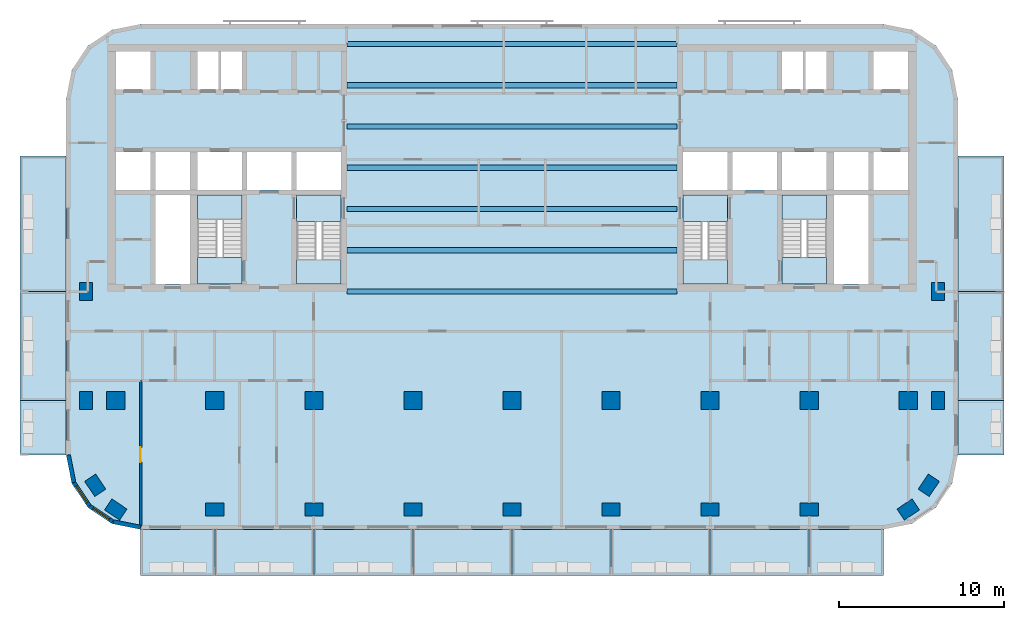
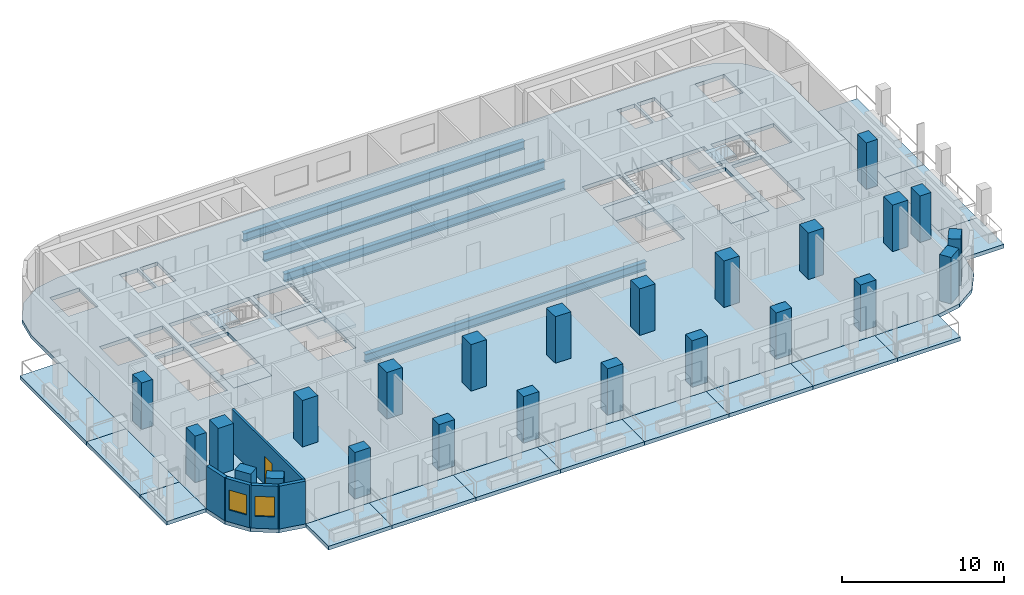
# One storey, part 1 of 11: 24 columns, 23 slabs, 7 beams, 5 walls, 2 windows, 1 door, 3 openings, 4 elements without a shape of their own.
"""IFC4 building model written with IfcOpenShell, lengths in metres."""

from ifc_helpers import new_model, si_unit, direction, frame, frame_2d, origin, origin_2d, place, context, subcontext, project, spatial, polyline, rectangle, i_section, outline, extrude, material, layer, layer_set, material_profile, profile_set, type_object, element, fill, aggregate, save


model = new_model("IFC4")

# Units and contexts
model_context = context("Model", 3, precision=1e-05, world=origin(), true_north=direction((0.0, 1.0)))
body_context = subcontext(model_context, "Body", "Model", "MODEL_VIEW")
ifc_project = project(units=[si_unit("LENGTHUNIT", "METRE"), si_unit("AREAUNIT", "SQUARE_METRE"), si_unit("VOLUMEUNIT", "CUBIC_METRE"), si_unit("PLANEANGLEUNIT", "RADIAN"), si_unit("MASSUNIT", "GRAM", prefix="KILO")], contexts=[model_context])

# Site, building, storey
site_placement = place(None, origin())
site = spatial("IfcSite", under=ifc_project, at=site_placement, CompositionType="ELEMENT")
building_placement = place(site_placement, origin())
building = spatial("IfcBuilding", under=site, at=building_placement, Name="Torana Hotel and Residences", CompositionType="ELEMENT")
storey_placement = place(building_placement, frame((0.0, 0.0, 204.60009765625)))
storey = spatial("IfcBuildingStorey", under=building, at=storey_placement, Name="L53", CompositionType="ELEMENT", Elevation=204.60009765625)

# Columns
ifc_material_1 = material(Name="Concrete C60/75", Category="concrete")
ifc_material_profile_1 = material_profile(ifc_material_1, rectangle(XDim=1.10009765625, YDim=1.10009765625, at=origin_2d()), Name="RC 1100x1100")
ifc_profile_set_1 = profile_set([ifc_material_profile_1], Name="Concrete C60/75")
column_type_1 = type_object("IfcColumnType", Name="COLUMN RC 1100x1100 C60/75", PredefinedType="COLUMN", material=ifc_profile_set_1)
for number, where, z_axis, x_axis, name in (
    (1, (-24.0, -21.60009765625, 0.0), (0.0, 0.0, 1.0), (1.0, 0.0, 0.0), "Column L53"),
    (2, (-18.0, -21.60009765625, 0.0), (0.0, 0.0, 1.0), (1.0, 0.0, 0.0), "Column L53"),
    (3, (-12.0, -21.60009765625, 0.0), (0.0, 0.0, 1.0), (1.0, 0.0, 0.0), "Column L53"),
    (4, (-6.0, -21.60009765625, 0.0), (0.0, 0.0, 1.0), (1.0, 0.0, 0.0), "Column L53"),
    (5, (0.0, -21.60009765625, 0.0), (0.0, 0.0, 1.0), (1.0, 0.0, 0.0), "Column L53"),
    (6, (6.0, -21.60009765625, 0.0), (0.0, 0.0, 1.0), (1.0, 0.0, 0.0), "Column L53"),
    (7, (12.0, -21.60009765625, 0.0), (0.0, 0.0, 1.0), (1.0, 0.0, 0.0), "Column L53"),
    (8, (18.0, -21.60009765625, 0.0), (0.0, 0.0, 1.0), (1.0, 0.0, 0.0), "Column L53"),
    (9, (24.0, -21.60009765625, 0.0), (0.0, 0.0, 1.0), (1.0, 0.0, 0.0), "Column L53"),
):
    element("IfcColumn", number, at=place(storey_placement, frame(where, z_axis=z_axis, x_axis=x_axis)), inside=storey, type_object=column_type_1, Name=name, PredefinedType="COLUMN", context=body_context, shape_type="SweptSolid", body=[
        extrude(rectangle(XDim=1.10009765625, YDim=1.10009765625, at=origin_2d()), origin(), (0.0, 0.0, 1.0), 3.5),
    ])
ifc_material_2 = material(Name="Concrete C60/75", Category="concrete")
ifc_material_profile_2 = material_profile(ifc_material_2, rectangle(XDim=1.10009765625, YDim=0.800048828125, at=origin_2d()), Name="RC 1100x800")
ifc_profile_set_2 = profile_set([ifc_material_profile_2], Name="Concrete C60/75")
column_type_2 = type_object("IfcColumnType", Name="COLUMN RC 1100x800 C60/75", PredefinedType="COLUMN", material=ifc_profile_set_2)
for number, where, z_axis, x_axis, name in (
    (10, (-25.800048828125, -21.60009765625, 0.0), (0.0, 0.0, 1.0), (0.0, 1.0, 0.0), "Column L53"),
    (11, (-25.800048828125, -15.0, 0.0), (0.0, 0.0, 1.0), (0.0, 1.0, 0.0), "Column L53"),
    (12, (-25.243896484375, -26.73291015625, 0.0), (0.0, 0.0, 1.0), (-0.555584744817, 0.831459915646, 0.0), "Column L53"),
    (13, (-24.0, -28.199951171875, 0.0), (0.0, 0.0, 1.0), (-0.831459915646, 0.555584744817, 0.0), "Column L53"),
    (14, (-18.0, -28.199951171875, 0.0), (0.0, 0.0, 1.0), (1.0, 0.0, 0.0), "Column L53"),
    (15, (-12.0, -28.199951171875, 0.0), (0.0, 0.0, 1.0), (1.0, 0.0, 0.0), "Column L53"),
    (16, (-6.0, -28.199951171875, 0.0), (0.0, 0.0, 1.0), (1.0, 0.0, 0.0), "Column L53"),
    (17, (0.0, -28.199951171875, 0.0), (0.0, 0.0, 1.0), (1.0, 0.0, 0.0), "Column L53"),
    (18, (6.0, -28.199951171875, 0.0), (0.0, 0.0, 1.0), (1.0, 0.0, 0.0), "Column L53"),
    (19, (12.0, -28.199951171875, 0.0), (0.0, 0.0, 1.0), (1.0, 0.0, 0.0), "Column L53"),
    (20, (18.0, -28.199951171875, 0.0), (0.0, 0.0, 1.0), (1.0, 0.0, 0.0), "Column L53"),
    (21, (24.0, -28.199951171875, 0.0), (0.0, 0.0, 1.0), (0.831459915646, 0.555584744817, 0.0), "Column L53"),
    (22, (25.243896484375, -26.73291015625, 0.0), (0.0, 0.0, 1.0), (0.555584744817, 0.831459915646, 0.0), "Column L53"),
    (23, (25.800048828125, -21.60009765625, 0.0), (0.0, 0.0, 1.0), (0.0, 1.0, 0.0), "Column L53"),
    (24, (25.800048828125, -15.0, 0.0), (0.0, 0.0, 1.0), (0.0, 1.0, 0.0), "Column L53"),
):
    element("IfcColumn", number, at=place(storey_placement, frame(where, z_axis=z_axis, x_axis=x_axis)), inside=storey, type_object=column_type_2, Name=name, PredefinedType="COLUMN", context=body_context, shape_type="SweptSolid", body=[
        extrude(rectangle(XDim=1.10009765625, YDim=0.800048828125, at=origin_2d()), origin(), (0.0, 0.0, 1.0), 3.5),
    ])

# Beams
ifc_material_3 = material(Name="Steel S355", Category="steel")
ifc_material_profile_3 = material_profile(ifc_material_3, i_section(OverallWidth=0.311279296875, OverallDepth=0.6357421875, WebThickness=0.018310546875, FlangeThickness=0.031494140625, FilletRadius=0.0166015625, at=origin_2d()), Name="610x305x238 UB")
ifc_profile_set_3 = profile_set([ifc_material_profile_3], Name="Steel S355")
beam_type = type_object("IfcBeamType", Name="STEEL GIRDER 610x305x238 UB", PredefinedType="BEAM", material=ifc_profile_set_3)
for number, where, z_axis, x_axis, name in (
    (25, (-10.0, -15.0, -0.597900390625), (1.0, 0.0, 0.0), (0.0, 1.0, 0.0), "Floor girder"),
    (26, (-10.0, -12.5, -0.597900390625), (1.0, 0.0, 0.0), (0.0, 1.0, 0.0), "Floor girder"),
    (27, (-10.0, -10.0, -0.597900390625), (1.0, 0.0, 0.0), (0.0, 1.0, 0.0), "Floor girder"),
    (28, (-10.0, -7.5, -0.597900390625), (1.0, 0.0, 0.0), (0.0, 1.0, 0.0), "Floor girder"),
    (29, (-10.0, -5.0, -0.597900390625), (1.0, 0.0, 0.0), (0.0, 1.0, 0.0), "Floor girder"),
    (30, (-10.0, -2.5, -0.597900390625), (1.0, 0.0, 0.0), (0.0, 1.0, 0.0), "Floor girder"),
    (31, (-10.0, 0.0, -0.597900390625), (1.0, 0.0, 0.0), (0.0, 1.0, 0.0), "Floor girder"),
):
    element("IfcBeam", number, at=place(storey_placement, frame(where, z_axis=z_axis, x_axis=x_axis)), inside=storey, type_object=beam_type, Name=name, PredefinedType="BEAM", context=body_context, shape_type="SweptSolid", body=[
        extrude(i_section(OverallWidth=0.311279296875, OverallDepth=0.6357421875, WebThickness=0.018310546875, FlangeThickness=0.031494140625, FilletRadius=0.0166015625, at=origin_2d()), origin(), (0.0, 0.0, 1.0), 20.0),
    ])

# Slabs
ifc_material_4 = material(Name="Concrete C40/50", Category="concrete")
ifc_layer_1 = layer(ifc_material_4, 0.280029296875)
ifc_layer_set_1 = layer_set([ifc_layer_1], Name="BAL1 BALCONY SLAB 280")
slab_type_1 = type_object("IfcSlabType", Name="BAL1 BALCONY SLAB 280", PredefinedType="USERDEFINED", material=ifc_layer_set_1)
slab_1_placement = place(storey_placement, frame((0.0, 0.0, -0.280029296875)))
element("IfcSlab", 32, at=slab_1_placement, inside=storey, type_object=slab_type_1, Name="Balcony 01", ObjectType="BALCONY", PredefinedType="USERDEFINED", context=body_context, shape_type="SweptSolid", body=[
    extrude(outline(polyline([(-22.5, -32.199951171875), (-18.0, -32.199951171875), (-18.0, -29.39990234375), (-22.5, -29.39990234375), (-22.5, -32.199951171875)])), origin(), (0.0, 0.0, 1.0), 0.280029296875),
])
slab_2_placement = place(storey_placement, frame((0.0, 0.0, -0.280029296875)))
element("IfcSlab", 33, at=slab_2_placement, inside=storey, type_object=slab_type_1, Name="Balcony 02", ObjectType="BALCONY", PredefinedType="USERDEFINED", context=body_context, shape_type="SweptSolid", body=[
    extrude(outline(polyline([(-18.0, -32.199951171875), (-12.0, -32.199951171875), (-12.0, -29.39990234375), (-18.0, -29.39990234375), (-18.0, -32.199951171875)])), origin(), (0.0, 0.0, 1.0), 0.280029296875),
])
slab_3_placement = place(storey_placement, frame((0.0, 0.0, -0.280029296875)))
element("IfcSlab", 34, at=slab_3_placement, inside=storey, type_object=slab_type_1, Name="Balcony 03", ObjectType="BALCONY", PredefinedType="USERDEFINED", context=body_context, shape_type="SweptSolid", body=[
    extrude(outline(polyline([(-12.0, -32.199951171875), (-6.0, -32.199951171875), (-6.0, -29.39990234375), (-12.0, -29.39990234375), (-12.0, -32.199951171875)])), origin(), (0.0, 0.0, 1.0), 0.280029296875),
])
slab_4_placement = place(storey_placement, frame((0.0, 0.0, -0.280029296875)))
element("IfcSlab", 35, at=slab_4_placement, inside=storey, type_object=slab_type_1, Name="Balcony 04", ObjectType="BALCONY", PredefinedType="USERDEFINED", context=body_context, shape_type="SweptSolid", body=[
    extrude(outline(polyline([(-6.0, -32.199951171875), (0.0, -32.199951171875), (0.0, -29.39990234375), (-6.0, -29.39990234375), (-6.0, -32.199951171875)])), origin(), (0.0, 0.0, 1.0), 0.280029296875),
])
slab_5_placement = place(storey_placement, frame((0.0, 0.0, -0.280029296875)))
element("IfcSlab", 36, at=slab_5_placement, inside=storey, type_object=slab_type_1, Name="Balcony 05", ObjectType="BALCONY", PredefinedType="USERDEFINED", context=body_context, shape_type="SweptSolid", body=[
    extrude(outline(polyline([(0.0, -32.199951171875), (6.0, -32.199951171875), (6.0, -29.39990234375), (0.0, -29.39990234375), (0.0, -32.199951171875)])), origin(), (0.0, 0.0, 1.0), 0.280029296875),
])
slab_6_placement = place(storey_placement, frame((0.0, 0.0, -0.280029296875)))
element("IfcSlab", 37, at=slab_6_placement, inside=storey, type_object=slab_type_1, Name="Balcony 06", ObjectType="BALCONY", PredefinedType="USERDEFINED", context=body_context, shape_type="SweptSolid", body=[
    extrude(outline(polyline([(6.0, -32.199951171875), (12.0, -32.199951171875), (12.0, -29.39990234375), (6.0, -29.39990234375), (6.0, -32.199951171875)])), origin(), (0.0, 0.0, 1.0), 0.280029296875),
])
slab_7_placement = place(storey_placement, frame((0.0, 0.0, -0.280029296875)))
element("IfcSlab", 38, at=slab_7_placement, inside=storey, type_object=slab_type_1, Name="Balcony 07", ObjectType="BALCONY", PredefinedType="USERDEFINED", context=body_context, shape_type="SweptSolid", body=[
    extrude(outline(polyline([(12.0, -32.199951171875), (18.0, -32.199951171875), (18.0, -29.39990234375), (12.0, -29.39990234375), (12.0, -32.199951171875)])), origin(), (0.0, 0.0, 1.0), 0.280029296875),
])
slab_8_placement = place(storey_placement, frame((0.0, 0.0, -0.280029296875)))
element("IfcSlab", 39, at=slab_8_placement, inside=storey, type_object=slab_type_1, Name="Balcony 08", ObjectType="BALCONY", PredefinedType="USERDEFINED", context=body_context, shape_type="SweptSolid", body=[
    extrude(outline(polyline([(18.0, -32.199951171875), (22.5, -32.199951171875), (22.5, -29.39990234375), (18.0, -29.39990234375), (18.0, -32.199951171875)])), origin(), (0.0, 0.0, 1.0), 0.280029296875),
])
slab_9_placement = place(storey_placement, frame((0.0, 0.0, -0.280029296875)))
element("IfcSlab", 40, at=slab_9_placement, inside=storey, type_object=slab_type_1, Name="Balcony 09", ObjectType="BALCONY", PredefinedType="USERDEFINED", context=body_context, shape_type="SweptSolid", body=[
    extrude(outline(polyline([(-29.800048828125, -24.89990234375), (-27.0, -24.89990234375), (-27.0, -21.60009765625), (-29.800048828125, -21.60009765625), (-29.800048828125, -24.89990234375)])), origin(), (0.0, 0.0, 1.0), 0.280029296875),
])
slab_10_placement = place(storey_placement, frame((0.0, 0.0, -0.280029296875)))
element("IfcSlab", 41, at=slab_10_placement, inside=storey, type_object=slab_type_1, Name="Balcony 10", ObjectType="BALCONY", PredefinedType="USERDEFINED", context=body_context, shape_type="SweptSolid", body=[
    extrude(outline(polyline([(-29.800048828125, -21.60009765625), (-27.0, -21.60009765625), (-27.0, -15.0), (-29.800048828125, -15.0), (-29.800048828125, -21.60009765625)])), origin(), (0.0, 0.0, 1.0), 0.280029296875),
])
slab_11_placement = place(storey_placement, frame((0.0, 0.0, -0.280029296875)))
element("IfcSlab", 42, at=slab_11_placement, inside=storey, type_object=slab_type_1, Name="Balcony 11", ObjectType="BALCONY", PredefinedType="USERDEFINED", context=body_context, shape_type="SweptSolid", body=[
    extrude(outline(polyline([(-29.800048828125, -15.0), (-27.0, -15.0), (-27.0, -6.800048828125), (-29.800048828125, -6.800048828125), (-29.800048828125, -15.0)])), origin(), (0.0, 0.0, 1.0), 0.280029296875),
])
slab_12_placement = place(storey_placement, frame((0.0, 0.0, -0.280029296875)))
element("IfcSlab", 43, at=slab_12_placement, inside=storey, type_object=slab_type_1, Name="Balcony 12", ObjectType="BALCONY", PredefinedType="USERDEFINED", context=body_context, shape_type="SweptSolid", body=[
    extrude(outline(polyline([(27.0, -24.89990234375), (29.800048828125, -24.89990234375), (29.800048828125, -21.60009765625), (27.0, -21.60009765625), (27.0, -24.89990234375)])), origin(), (0.0, 0.0, 1.0), 0.280029296875),
])
slab_13_placement = place(storey_placement, frame((0.0, 0.0, -0.280029296875)))
element("IfcSlab", 44, at=slab_13_placement, inside=storey, type_object=slab_type_1, Name="Balcony 13", ObjectType="BALCONY", PredefinedType="USERDEFINED", context=body_context, shape_type="SweptSolid", body=[
    extrude(outline(polyline([(27.0, -21.60009765625), (29.800048828125, -21.60009765625), (29.800048828125, -15.0), (27.0, -15.0), (27.0, -21.60009765625)])), origin(), (0.0, 0.0, 1.0), 0.280029296875),
])
slab_14_placement = place(storey_placement, frame((0.0, 0.0, -0.280029296875)))
element("IfcSlab", 45, at=slab_14_placement, inside=storey, type_object=slab_type_1, Name="Balcony 14", ObjectType="BALCONY", PredefinedType="USERDEFINED", context=body_context, shape_type="SweptSolid", body=[
    extrude(outline(polyline([(27.0, -15.0), (29.800048828125, -15.0), (29.800048828125, -6.800048828125), (27.0, -6.800048828125), (27.0, -15.0)])), origin(), (0.0, 0.0, 1.0), 0.280029296875),
])
ifc_material_5 = material(Name="Concrete C40/50", Category="concrete")
ifc_layer_2 = layer(ifc_material_5, 0.280029296875)
ifc_layer_set_2 = layer_set([ifc_layer_2], Name="FLOOR SLAB PT 280")
slab_type_2 = type_object("IfcSlabType", Name="FLOOR SLAB PT 280", PredefinedType="FLOOR", material=ifc_layer_set_2)
slab_15_placement = place(storey_placement, frame((0.0, 0.0, -0.280029296875)))
element("IfcSlab", 46, at=slab_15_placement, inside=storey, type_object=slab_type_2, Name="Floor slab", PredefinedType="FLOOR", context=body_context, shape_type="SweptSolid", body=[
    extrude(outline(polyline([(27.0, -3.300048828125), (26.657470703125, -1.577880859375), (25.681884765625, -0.117919921875), (24.22216796875, 0.857421875), (22.5, 1.199951171875), (-22.5, 1.199951171875), (-24.22216796875, 0.857421875), (-25.681884765625, -0.117919921875), (-26.657470703125, -1.577880859375), (-27.0, -3.300048828125), (-27.0, -24.89990234375), (-26.657470703125, -26.6220703125), (-25.681884765625, -28.08203125), (-24.22216796875, -29.0576171875), (-22.5, -29.39990234375), (22.5, -29.39990234375), (24.22216796875, -29.0576171875), (25.681884765625, -28.08203125), (26.657470703125, -26.6220703125), (27.0, -24.89990234375), (27.0, -3.300048828125)]), holes=[polyline([(-13.050048828125, -14.550048828125), (-10.35009765625, -14.550048828125), (-10.35009765625, -9.14990234375), (-13.050048828125, -9.14990234375), (-13.050048828125, -14.550048828125)]), polyline([(-19.050048828125, -14.550048828125), (-16.35009765625, -14.550048828125), (-16.35009765625, -9.14990234375), (-19.050048828125, -9.14990234375), (-19.050048828125, -14.550048828125)]), polyline([(-17.625, -2.75), (-16.35009765625, -2.75), (-16.35009765625, -0.449951171875), (-17.625, -0.449951171875), (-17.625, -2.75)]), polyline([(-19.050048828125, -2.75), (-17.77490234375, -2.75), (-17.77490234375, -0.449951171875), (-19.050048828125, -0.449951171875), (-19.050048828125, -2.75)]), polyline([(-21.60009765625, -8.85009765625), (-19.5, -8.85009765625), (-19.5, -6.550048828125), (-21.60009765625, -6.550048828125), (-21.60009765625, -8.85009765625)]), polyline([(-24.0, -2.75), (-21.89990234375, -2.75), (-21.89990234375, -0.449951171875), (-24.0, -0.449951171875), (-24.0, -2.75)]), polyline([(-24.0, -8.85009765625), (-21.89990234375, -8.85009765625), (-21.89990234375, -6.550048828125), (-24.0, -6.550048828125), (-24.0, -8.85009765625)]), polyline([(-13.050048828125, -8.85009765625), (-10.35009765625, -8.85009765625), (-10.35009765625, -6.550048828125), (-13.050048828125, -6.550048828125), (-13.050048828125, -8.85009765625)]), polyline([(-16.050048828125, -8.85009765625), (-13.35009765625, -8.85009765625), (-13.35009765625, -6.550048828125), (-16.050048828125, -6.550048828125), (-16.050048828125, -8.85009765625)]), polyline([(-19.050048828125, -8.85009765625), (-16.35009765625, -8.85009765625), (-16.35009765625, -6.550048828125), (-19.050048828125, -6.550048828125), (-19.050048828125, -8.85009765625)]), polyline([(-21.60009765625, -14.550048828125), (-19.5, -14.550048828125), (-19.5, -9.14990234375), (-21.60009765625, -9.14990234375), (-21.60009765625, -14.550048828125)]), polyline([(10.35009765625, -14.550048828125), (13.050048828125, -14.550048828125), (13.050048828125, -9.14990234375), (10.35009765625, -9.14990234375), (10.35009765625, -14.550048828125)]), polyline([(16.35009765625, -14.550048828125), (19.050048828125, -14.550048828125), (19.050048828125, -9.14990234375), (16.35009765625, -9.14990234375), (16.35009765625, -14.550048828125)]), polyline([(16.35009765625, -2.75), (17.625, -2.75), (17.625, -0.449951171875), (16.35009765625, -0.449951171875), (16.35009765625, -2.75)]), polyline([(17.77490234375, -2.75), (19.050048828125, -2.75), (19.050048828125, -0.449951171875), (17.77490234375, -0.449951171875), (17.77490234375, -2.75)]), polyline([(19.5, -8.85009765625), (21.60009765625, -8.85009765625), (21.60009765625, -6.550048828125), (19.5, -6.550048828125), (19.5, -8.85009765625)]), polyline([(21.89990234375, -2.75), (24.0, -2.75), (24.0, -0.449951171875), (21.89990234375, -0.449951171875), (21.89990234375, -2.75)]), polyline([(21.89990234375, -8.85009765625), (24.0, -8.85009765625), (24.0, -6.550048828125), (21.89990234375, -6.550048828125), (21.89990234375, -8.85009765625)]), polyline([(10.35009765625, -8.85009765625), (13.050048828125, -8.85009765625), (13.050048828125, -6.550048828125), (10.35009765625, -6.550048828125), (10.35009765625, -8.85009765625)]), polyline([(13.35009765625, -8.85009765625), (16.050048828125, -8.85009765625), (16.050048828125, -6.550048828125), (13.35009765625, -6.550048828125), (13.35009765625, -8.85009765625)]), polyline([(16.35009765625, -8.85009765625), (19.050048828125, -8.85009765625), (19.050048828125, -6.550048828125), (16.35009765625, -6.550048828125), (16.35009765625, -8.85009765625)]), polyline([(19.5, -14.550048828125), (21.60009765625, -14.550048828125), (21.60009765625, -9.14990234375), (19.5, -9.14990234375), (19.5, -14.550048828125)])]), origin(), (0.0, 0.0, 1.0), 0.280029296875),
])

# Stair, slabs
ifc_material_6 = material(Name="Concrete C40/50 precast", Category="concrete")
stair_type_1 = type_object("IfcStairType", Name="STAIR ST1 HALF TURN 1200", PredefinedType="HALF_TURN_STAIR", material=ifc_material_6)
stair_1_placement = place(storey_placement, origin())
stair_1 = element("IfcStair", 47, at=stair_1_placement, inside=storey, type_object=stair_type_1, Name="Stair ST1 L53", PredefinedType="HALF_TURN_STAIR")
ifc_material_7 = material(Name="Concrete C40/50 precast", Category="concrete")
ifc_layer_3 = layer(ifc_material_7, 0.199951171875)
ifc_layer_set_3 = layer_set([ifc_layer_3], Name="STAIR LANDING 200")
slab_type_3 = type_object("IfcSlabType", Name="STAIR LANDING 200", PredefinedType="LANDING", material=ifc_layer_set_3)
slab_16_placement = place(storey_placement, frame((0.0, 0.0, 1.5498046875)))
slab_16 = element("IfcSlab", 48, at=slab_16_placement, type_object=slab_type_3, Name="ST1 landing 1", PredefinedType="LANDING", context=body_context, shape_type="SweptSolid", body=[
    extrude(outline(polyline([(-13.050048828125, -14.550048828125), (-10.35009765625, -14.550048828125), (-10.35009765625, -13.090087890625), (-13.050048828125, -13.090087890625), (-13.050048828125, -14.550048828125)])), origin(), (0.0, 0.0, 1.0), 0.2001953125),
])
slab_17_placement = place(storey_placement, frame((0.0, 0.0, -0.2001953125)))
slab_17 = element("IfcSlab", 49, at=slab_17_placement, type_object=slab_type_3, Name="ST1 landing 2", PredefinedType="LANDING", context=body_context, shape_type="SweptSolid", body=[
    extrude(outline(polyline([(-13.050048828125, -10.75), (-10.35009765625, -10.75), (-10.35009765625, -9.14990234375), (-13.050048828125, -9.14990234375), (-13.050048828125, -10.75)])), origin(), (0.0, 0.0, 1.0), 0.2001953125),
])
aggregate(stair_1, [slab_16, slab_17])

ifc_material_8 = material(Name="Concrete C40/50 precast", Category="concrete")
stair_type_2 = type_object("IfcStairType", Name="STAIR ST2 HALF TURN 1200", PredefinedType="HALF_TURN_STAIR", material=ifc_material_8)
stair_2_placement = place(storey_placement, origin())
stair_2 = element("IfcStair", 50, at=stair_2_placement, inside=storey, type_object=stair_type_2, Name="Stair ST2 L53", PredefinedType="HALF_TURN_STAIR")
slab_18_placement = place(storey_placement, frame((0.0, 0.0, 1.5498046875)))
slab_18 = element("IfcSlab", 51, at=slab_18_placement, type_object=slab_type_3, Name="ST2 landing 1", PredefinedType="LANDING", context=body_context, shape_type="SweptSolid", body=[
    extrude(outline(polyline([(-19.050048828125, -10.610107421875), (-16.35009765625, -10.610107421875), (-16.35009765625, -9.14990234375), (-19.050048828125, -9.14990234375), (-19.050048828125, -10.610107421875)])), origin(), (0.0, 0.0, 1.0), 0.2001953125),
])
slab_19_placement = place(storey_placement, frame((0.0, 0.0, -0.2001953125)))
slab_19 = element("IfcSlab", 52, at=slab_19_placement, type_object=slab_type_3, Name="ST2 landing 2", PredefinedType="LANDING", context=body_context, shape_type="SweptSolid", body=[
    extrude(outline(polyline([(-19.050048828125, -14.550048828125), (-16.35009765625, -14.550048828125), (-16.35009765625, -12.949951171875), (-19.050048828125, -12.949951171875), (-19.050048828125, -14.550048828125)])), origin(), (0.0, 0.0, 1.0), 0.2001953125),
])
aggregate(stair_2, [slab_18, slab_19])

ifc_material_9 = material(Name="Concrete C40/50 precast", Category="concrete")
stair_type_3 = type_object("IfcStairType", Name="STAIR ST3 HALF TURN 1200", PredefinedType="HALF_TURN_STAIR", material=ifc_material_9)
stair_3_placement = place(storey_placement, origin())
stair_3 = element("IfcStair", 53, at=stair_3_placement, inside=storey, type_object=stair_type_3, Name="Stair ST3 L53", PredefinedType="HALF_TURN_STAIR")
slab_20_placement = place(storey_placement, frame((0.0, 0.0, 1.5498046875)))
slab_20 = element("IfcSlab", 54, at=slab_20_placement, type_object=slab_type_3, Name="ST3 landing 1", PredefinedType="LANDING", context=body_context, shape_type="SweptSolid", body=[
    extrude(outline(polyline([(10.35009765625, -14.550048828125), (13.050048828125, -14.550048828125), (13.050048828125, -13.090087890625), (10.35009765625, -13.090087890625), (10.35009765625, -14.550048828125)])), origin(), (0.0, 0.0, 1.0), 0.2001953125),
])
slab_21_placement = place(storey_placement, frame((0.0, 0.0, -0.2001953125)))
slab_21 = element("IfcSlab", 55, at=slab_21_placement, type_object=slab_type_3, Name="ST3 landing 2", PredefinedType="LANDING", context=body_context, shape_type="SweptSolid", body=[
    extrude(outline(polyline([(10.35009765625, -10.75), (13.050048828125, -10.75), (13.050048828125, -9.14990234375), (10.35009765625, -9.14990234375), (10.35009765625, -10.75)])), origin(), (0.0, 0.0, 1.0), 0.2001953125),
])
aggregate(stair_3, [slab_20, slab_21])

ifc_material_10 = material(Name="Concrete C40/50 precast", Category="concrete")
stair_type_4 = type_object("IfcStairType", Name="STAIR ST4 HALF TURN 1200", PredefinedType="HALF_TURN_STAIR", material=ifc_material_10)
stair_4_placement = place(storey_placement, origin())
stair_4 = element("IfcStair", 56, at=stair_4_placement, inside=storey, type_object=stair_type_4, Name="Stair ST4 L53", PredefinedType="HALF_TURN_STAIR")
slab_22_placement = place(storey_placement, frame((0.0, 0.0, 1.5498046875)))
slab_22 = element("IfcSlab", 57, at=slab_22_placement, type_object=slab_type_3, Name="ST4 landing 1", PredefinedType="LANDING", context=body_context, shape_type="SweptSolid", body=[
    extrude(outline(polyline([(16.35009765625, -10.610107421875), (19.050048828125, -10.610107421875), (19.050048828125, -9.14990234375), (16.35009765625, -9.14990234375), (16.35009765625, -10.610107421875)])), origin(), (0.0, 0.0, 1.0), 0.2001953125),
])
slab_23_placement = place(storey_placement, frame((0.0, 0.0, -0.2001953125)))
slab_23 = element("IfcSlab", 58, at=slab_23_placement, type_object=slab_type_3, Name="ST4 landing 2", PredefinedType="LANDING", context=body_context, shape_type="SweptSolid", body=[
    extrude(outline(polyline([(16.35009765625, -14.550048828125), (19.050048828125, -14.550048828125), (19.050048828125, -12.949951171875), (16.35009765625, -12.949951171875), (16.35009765625, -14.550048828125)])), origin(), (0.0, 0.0, 1.0), 0.2001953125),
])
aggregate(stair_4, [slab_22, slab_23])

# Wall
ifc_material_11 = material(Name="Black aluminium composite panel", Category="aluminium")
ifc_layer_4 = layer(ifc_material_11, 0.00390625, Name="Cladding", Category="cladding")
ifc_material_12 = material(Name="Ventilated air cavity")
ifc_layer_5 = layer(ifc_material_12, 0.0400390625, Name="Ventilated cavity", Category="cavity")
ifc_material_13 = material(Name="Mineral wool insulation")
ifc_layer_6 = layer(ifc_material_13, 0.090087890625, Name="Insulation", Category="insulation")
ifc_material_14 = material(Name="Steel S280GD", Category="steel")
ifc_layer_7 = layer(ifc_material_14, 0.092041015625, Name="Steel stud frame", Category="structure")
ifc_material_15 = material(Name="Fire rated plasterboard")
ifc_layer_8 = layer(ifc_material_15, 0.011962890625, Name="Inner board", Category="finish")
ifc_layer_9 = layer(ifc_material_15, 0.011962890625, Name="Second board", Category="finish")
ifc_layer_set_4 = layer_set([ifc_layer_4, ifc_layer_5, ifc_layer_6, ifc_layer_7, ifc_layer_8, ifc_layer_9], Name="EW1 EXTERNAL WALL BLACK METAL CLAD 250")
wall_type_1 = type_object("IfcWallType", Name="EW1 EXTERNAL WALL BLACK METAL CLAD 250", PredefinedType="SOLIDWALL", material=ifc_layer_set_4)
wall_1_placement = place(storey_placement, frame((-26.87255859375, -24.89990234375, 0.0), z_axis=(0.0, 0.0, 1.0), x_axis=(0.195026884138, -0.980797896849, 0.0)))
element("IfcWall", 59, at=wall_1_placement, inside=storey, type_object=wall_type_1, Name="External wall L53 e0.10", PredefinedType="SOLIDWALL", context=body_context, shape_type="SweptSolid", body=[
    extrude(rectangle(XDim=1.68115234375, YDim=0.25, at=frame_2d((0.840576171875, 0.0))), origin(), (0.0, 0.0, 1.0), 3.219970703125),
])

# Wall, opening, window
wall_2_placement = place(storey_placement, frame((-26.52587890625, -26.593994140625, 0.0), z_axis=(0.0, 0.0, 1.0), x_axis=(0.55555029066, -0.831482937015, 0.0)))
wall_2 = element("IfcWall", 60, at=wall_2_placement, inside=storey, type_object=wall_type_1, Name="External wall L53 e0.11", PredefinedType="SOLIDWALL", context=body_context, shape_type="SweptSolid", body=[
    extrude(rectangle(XDim=1.65625, YDim=0.25, at=frame_2d((0.828125, 0.0))), origin(), (0.0, 0.0, 1.0), 3.219970703125),
])
opening_1_placement = place(wall_2_placement, frame((0.228271484375, 0.0, 0.89990234375)))
opening_1 = element("IfcOpeningElement", 61, at=opening_1_placement, cuts=wall_2, Name="Opening W5", PredefinedType="OPENING", context=body_context, shape_type="SweptSolid", body=[
    extrude(rectangle(XDim=1.199951171875, YDim=1.5, at=frame_2d((0.60009765625, 0.75))), frame((0.0, 0.135009765625, 0.0), z_axis=(0.0, -1.0, 0.0), x_axis=(1.0, 0.0, 0.0)), (0.0, 0.0, 1.0), 0.27001953125),
])
ifc_material_16 = material(Name="Dark glass in black aluminium frame", Category="aluminium")
window_type = type_object("IfcWindowType", Name="W5 CORNER FACET WINDOW 1200x1500", PartitioningType="SINGLE_PANEL", PredefinedType="WINDOW", material=ifc_material_16)
window_1_placement = place(opening_1_placement, origin())
window_1 = element("IfcWindow", 62, at=window_1_placement, inside=storey, type_object=window_type, Name="Window L53 e0.11", OverallHeight=1.5, OverallWidth=1.199951171875, PartitioningType="SINGLE_PANEL", PredefinedType="WINDOW", context=body_context, shape_type="SweptSolid", body=[
    extrude(rectangle(XDim=1.199951171875, YDim=1.5, at=frame_2d((0.60009765625, 0.75))), frame((0.0, 0.030029296875, 0.0), z_axis=(0.0, -1.0, 0.0), x_axis=(1.0, 0.0, 0.0)), (0.0, 0.0, 1.0), 0.06005859375),
])
fill(opening_1, window_1)

wall_3_placement = place(storey_placement, frame((-25.5712890625, -28.005615234375, 0.0), z_axis=(0.0, 0.0, 1.0), x_axis=(0.831482937015, -0.55555029066, 0.0)))
wall_3 = element("IfcWall", 63, at=wall_3_placement, inside=storey, type_object=wall_type_1, Name="External wall L53 e0.12", PredefinedType="SOLIDWALL", context=body_context, shape_type="SweptSolid", body=[
    extrude(rectangle(XDim=1.65625, YDim=0.25, at=frame_2d((0.828125, 0.0))), origin(), (0.0, 0.0, 1.0), 3.219970703125),
])
opening_2_placement = place(wall_3_placement, frame((0.228271484375, 0.0, 0.89990234375)))
opening_2 = element("IfcOpeningElement", 64, at=opening_2_placement, cuts=wall_3, Name="Opening W5", PredefinedType="OPENING", context=body_context, shape_type="SweptSolid", body=[
    extrude(rectangle(XDim=1.199951171875, YDim=1.5, at=frame_2d((0.60009765625, 0.75))), frame((0.0, 0.135009765625, 0.0), z_axis=(0.0, -1.0, 0.0), x_axis=(1.0, 0.0, 0.0)), (0.0, 0.0, 1.0), 0.27001953125),
])
window_2_placement = place(opening_2_placement, origin())
window_2 = element("IfcWindow", 65, at=window_2_placement, inside=storey, type_object=window_type, Name="Window L53 e0.12", OverallHeight=1.5, OverallWidth=1.199951171875, PartitioningType="SINGLE_PANEL", PredefinedType="WINDOW", context=body_context, shape_type="SweptSolid", body=[
    extrude(rectangle(XDim=1.199951171875, YDim=1.5, at=frame_2d((0.60009765625, 0.75))), frame((0.0, 0.030029296875, 0.0), z_axis=(0.0, -1.0, 0.0), x_axis=(1.0, 0.0, 0.0)), (0.0, 0.0, 1.0), 0.06005859375),
])
fill(opening_2, window_2)

# Wall
wall_4_placement = place(storey_placement, frame((-24.14892578125, -28.944580078125, 0.0), z_axis=(0.0, 0.0, 1.0), x_axis=(0.980775640221, -0.19513878023, 0.0)))
element("IfcWall", 66, at=wall_4_placement, inside=storey, type_object=wall_type_1, Name="External wall L53 e0.13", PredefinedType="SOLIDWALL", context=body_context, shape_type="SweptSolid", body=[
    extrude(rectangle(XDim=1.681396484375, YDim=0.25, at=frame_2d((0.8408203125, 0.0))), origin(), (0.0, 0.0, 1.0), 3.219970703125),
])

# Wall, opening, door
ifc_material_17 = material(Name="Gypsum plasterboard")
ifc_layer_10 = layer(ifc_material_17, 0.012451171875, Name="Plasterboard", Category="finish")
ifc_layer_11 = layer(ifc_material_17, 0.012451171875, Name="Plasterboard", Category="finish")
ifc_layer_12 = layer(ifc_material_14, 0.10009765625, Name="Steel studs with mineral wool", Category="insulation")
ifc_layer_13 = layer(ifc_material_17, 0.012451171875, Name="Plasterboard", Category="finish")
ifc_layer_14 = layer(ifc_material_17, 0.012451171875, Name="Plasterboard", Category="finish")
ifc_layer_set_5 = layer_set([ifc_layer_10, ifc_layer_11, ifc_layer_12, ifc_layer_13, ifc_layer_14], Name="PARTITION 150 PLASTERBOARD")
wall_type_2 = type_object("IfcWallType", Name="PARTITION 150 PLASTERBOARD", PredefinedType="PARTITIONING", material=ifc_layer_set_5)
wall_5_placement = place(storey_placement, frame((-22.5, -29.216552734375, 0.0), z_axis=(0.0, 0.0, 1.0), x_axis=(0.0, 1.0, 0.0)))
wall_5 = element("IfcWall", 67, at=wall_5_placement, inside=storey, type_object=wall_type_2, Name="Partition L53", PredefinedType="PARTITIONING", context=body_context, shape_type="SweptSolid", body=[
    extrude(rectangle(XDim=8.816650390625, YDim=0.14990234375, at=frame_2d((4.408203125, 0.0))), origin(), (0.0, 0.0, 1.0), 3.219970703125),
])
opening_3_placement = place(wall_5_placement, frame((3.886474609375, 0.0, 0.0)))
opening_3 = element("IfcOpeningElement", 68, at=opening_3_placement, cuts=wall_5, Name="Opening L53-60", PredefinedType="OPENING", context=body_context, shape_type="SweptSolid", body=[
    extrude(rectangle(XDim=0.89990234375, YDim=2.10009765625, at=frame_2d((0.449951171875, 1.050048828125))), frame((0.0, 0.0849609375, 0.0), z_axis=(0.0, -1.0, 0.0), x_axis=(1.0, 0.0, 0.0)), (0.0, 0.0, 1.0), 0.169921875),
])
ifc_material_18 = material(Name="Timber door, oiled ash", Category="wood")
door_type = type_object("IfcDoorType", Name="ROOM DOOR D7 900x2100", OperationType="SINGLE_SWING_LEFT", PredefinedType="DOOR", material=ifc_material_18)
door_placement = place(opening_3_placement, origin())
door = element("IfcDoor", 69, at=door_placement, inside=storey, type_object=door_type, Name="Door L53", OperationType="SINGLE_SWING_RIGHT", OverallHeight=2.10009765625, OverallWidth=0.89990234375, PredefinedType="DOOR", context=body_context, shape_type="SweptSolid", body=[
    extrude(rectangle(XDim=0.89990234375, YDim=2.10009765625, at=frame_2d((0.449951171875, 1.050048828125))), frame((0.0, 0.02490234375, 0.0), z_axis=(0.0, -1.0, 0.0), x_axis=(1.0, 0.0, 0.0)), (0.0, 0.0, 1.0), 0.050048828125),
])
fill(opening_3, door)

save(model, "model.ifc")
